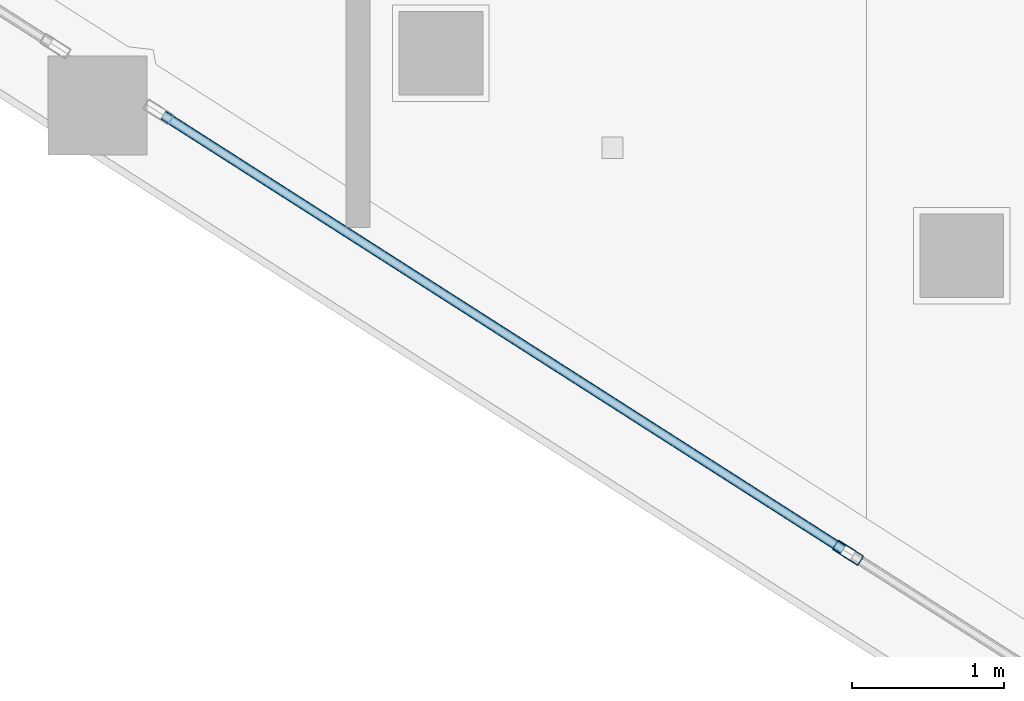
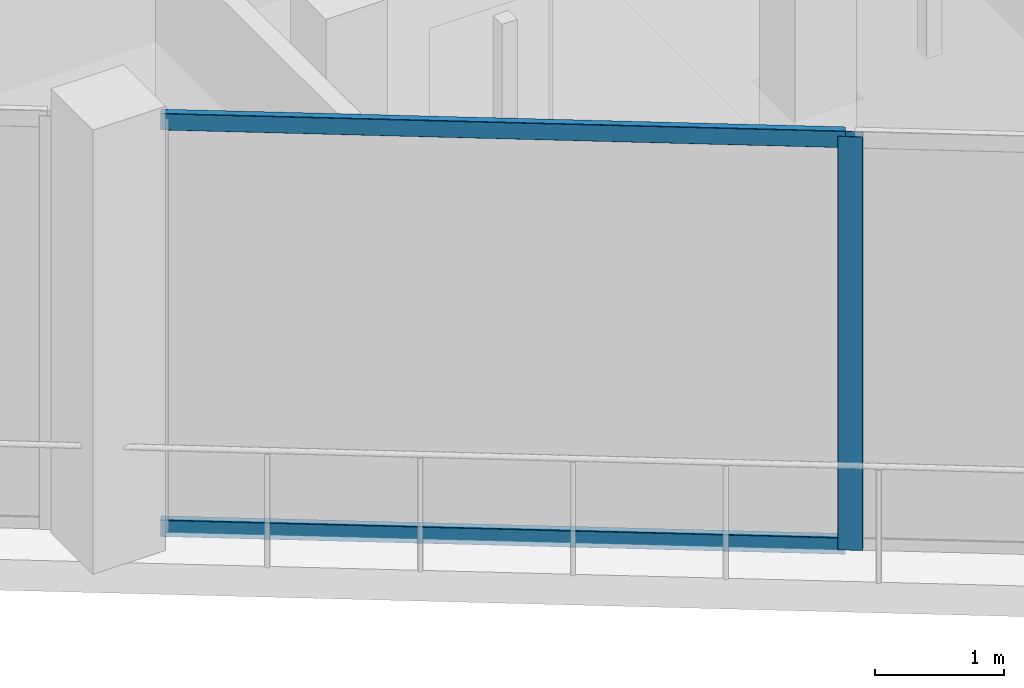
# One storey, part 4 of 33: 3 members, 1 element without a shape of its own.
"""IFC4 building model written with IfcOpenShell, lengths in metres."""

from ifc_helpers import new_model, si_unit, direction, frame, origin, origin_2d, place, context, subcontext, project, spatial, hollow_rectangle, extrude, material, layer, layer_set, material_profile, profile_set, type_object, element, aggregate, save


model = new_model("IFC4")

# Units and contexts
model_context = context("Model", 3, precision=1e-05, world=origin(), true_north=direction((0.0, 1.0)))
body_context = subcontext(model_context, "Body", "Model", "MODEL_VIEW")
ifc_project = project(units=[si_unit("LENGTHUNIT", "METRE"), si_unit("AREAUNIT", "SQUARE_METRE"), si_unit("VOLUMEUNIT", "CUBIC_METRE"), si_unit("PLANEANGLEUNIT", "RADIAN"), si_unit("MASSUNIT", "GRAM", prefix="KILO")], contexts=[model_context])

# Site, building, storey
site_placement = place(None, origin())
site = spatial("IfcSite", under=ifc_project, at=site_placement, CompositionType="ELEMENT")
building_placement = place(site_placement, origin())
building = spatial("IfcBuilding", under=site, at=building_placement, Name="Qorvath Tower", CompositionType="ELEMENT")
storey_placement = place(building_placement, frame((0.0, 0.0, 280.800048828125)))
storey = spatial("IfcBuildingStorey", under=building, at=storey_placement, Name="L65", CompositionType="ELEMENT", Elevation=280.800048828125)

# Curtain wall, members
ifc_material_1 = material(Name="Anodised aluminium and triple low-E glass", Category="aluminium")
ifc_layer = layer(ifc_material_1, 0.179931640625)
ifc_layer_set = layer_set([ifc_layer], Name="CW-SYS-4")
curtain_wall_type = type_object("IfcCurtainWallType", Name="CW-SYS-4", PredefinedType="NOTDEFINED", material=ifc_layer_set)
curtain_wall_placement = place(storey_placement, origin())
curtain_wall = element("IfcCurtainWall", 1, at=curtain_wall_placement, inside=storey, type_object=curtain_wall_type, Name="Curtain Wall CW-4 CW-T-L65-2.2", PredefinedType="NOTDEFINED")
ifc_material_2 = material(Name="Anodised aluminium 6063-T6", Category="aluminium")
ifc_material_profile_1 = material_profile(ifc_material_2, hollow_rectangle(XDim=0.074951171875, YDim=0.199951171875, WallThickness=0.00390625, InnerFilletRadius=0.00390625, OuterFilletRadius=0.008056640625, at=origin_2d()), Name="CWM 200x75")
ifc_profile_set_1 = profile_set([ifc_material_profile_1], Name="Anodised aluminium 6063-T6")
member_type_1 = type_object("IfcMemberType", Name="CWM-200", PredefinedType="MULLION", material=ifc_profile_set_1)
member_1_placement = place(storey_placement, frame((-31.426025390625, -16.078369140625, 0.0), z_axis=(0.0, 0.0, 1.0), x_axis=(0.53853689025, 0.842601933204, 0.0)))
member_1 = element("IfcMember", 2, at=member_1_placement, type_object=member_type_1, Name="CW-4 mullion 2", PredefinedType="MULLION", context=body_context, shape_type="SweptSolid", body=[
    extrude(hollow_rectangle(XDim=0.074951171875, YDim=0.199951171875, WallThickness=0.00390625, InnerFilletRadius=0.00390625, OuterFilletRadius=0.008056640625, at=origin_2d()), origin(), (0.0, 0.0, 1.0), 3.909912109375),
])
ifc_material_3 = material(Name="Anodised aluminium 6063-T6", Category="aluminium")
ifc_material_profile_2 = material_profile(ifc_material_3, hollow_rectangle(XDim=0.06494140625, YDim=0.159912109375, WallThickness=0.00341796875, InnerFilletRadius=0.00341796875, OuterFilletRadius=0.007080078125, at=origin_2d()), Name="CWT 160x65")
ifc_profile_set_2 = profile_set([ifc_material_profile_2], Name="Anodised aluminium 6063-T6")
member_type_2 = type_object("IfcMemberType", Name="CWT-160", PredefinedType="USERDEFINED", material=ifc_profile_set_2)
member_2_placement = place(storey_placement, frame((-35.931396484375, -13.19873046875, 0.032470703125), z_axis=(0.842591931944, -0.538552538034, 0.0), x_axis=(0.538552538034, 0.842591931944, 0.0)))
member_2 = element("IfcMember", 3, at=member_2_placement, type_object=member_type_2, Name="CW-4 transom 1.1", ObjectType="TRANSOM", PredefinedType="USERDEFINED", context=body_context, shape_type="SweptSolid", body=[
    extrude(hollow_rectangle(XDim=0.06494140625, YDim=0.159912109375, WallThickness=0.00341796875, InnerFilletRadius=0.00341796875, OuterFilletRadius=0.007080078125, at=origin_2d()), origin(), (0.0, 0.0, 1.0), 5.309326171875),
])
member_3_placement = place(storey_placement, frame((-35.931396484375, -13.19873046875, 3.87744140625), z_axis=(0.842591931944, -0.538552538034, 0.0), x_axis=(0.538552538034, 0.842591931944, 0.0)))
member_3 = element("IfcMember", 4, at=member_3_placement, type_object=member_type_2, Name="CW-4 transom 1.2", ObjectType="TRANSOM", PredefinedType="USERDEFINED", context=body_context, shape_type="SweptSolid", body=[
    extrude(hollow_rectangle(XDim=0.06494140625, YDim=0.159912109375, WallThickness=0.00341796875, InnerFilletRadius=0.00341796875, OuterFilletRadius=0.007080078125, at=origin_2d()), origin(), (0.0, 0.0, 1.0), 5.309326171875),
])
aggregate(curtain_wall, [member_1, member_2, member_3])

save(model, "model.ifc")
